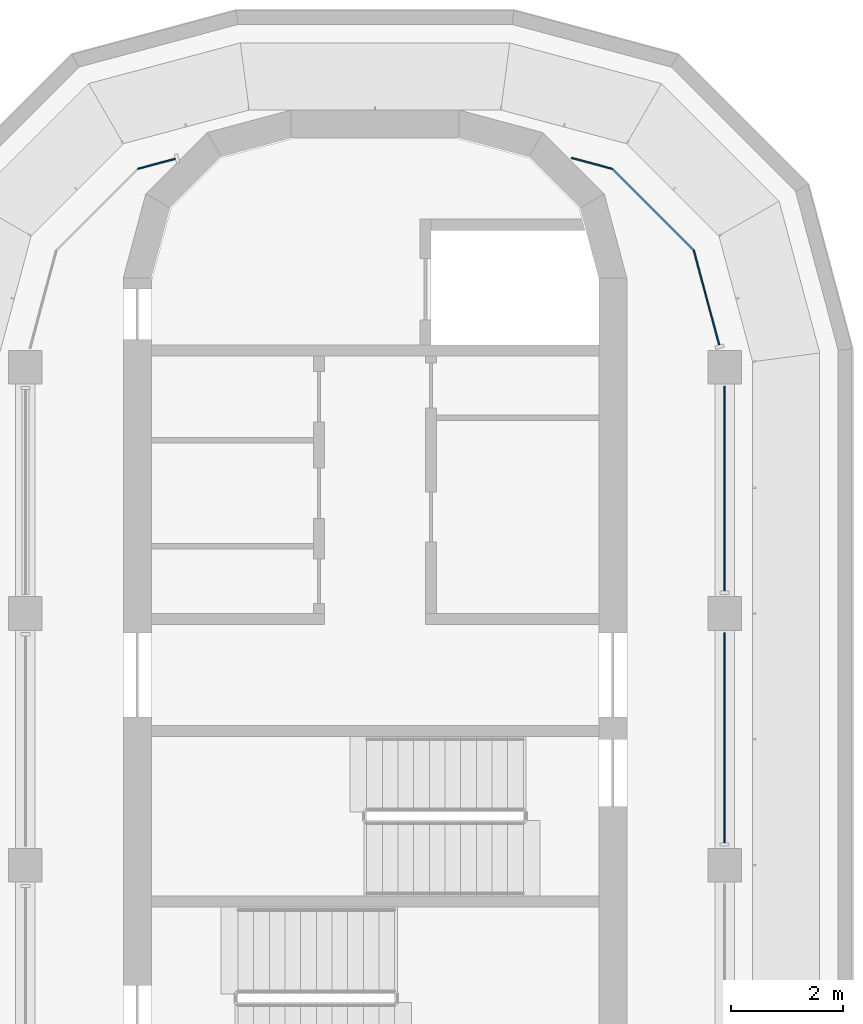
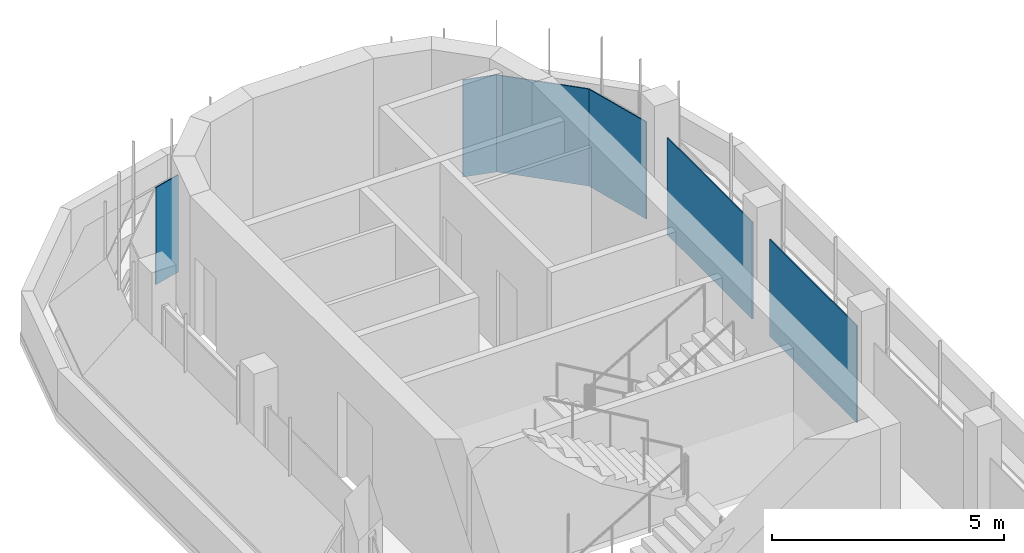
# One storey, part 7 of 12: 6 plates, 5 elements without a shape of their own.
"""IFC4 building model written with IfcOpenShell, lengths in metres."""

from ifc_helpers import new_model, si_unit, direction, frame, origin, place, context, subcontext, project, spatial, polyline, outline, extrude, source, transform, mapped, material, layer, layer_set, type_object, element, aggregate, save


model = new_model("IFC4")

# Units and contexts
model_context = context("Model", 3, precision=1e-05, world=origin(), true_north=direction((0.0, 1.0)))
body_context = subcontext(model_context, "Body", "Model", "MODEL_VIEW")
ifc_project = project(units=[si_unit("LENGTHUNIT", "METRE"), si_unit("AREAUNIT", "SQUARE_METRE"), si_unit("VOLUMEUNIT", "CUBIC_METRE"), si_unit("PLANEANGLEUNIT", "RADIAN"), si_unit("MASSUNIT", "GRAM", prefix="KILO")], contexts=[model_context])

# Site, building, storey
site_placement = place(None, origin())
site = spatial("IfcSite", under=ifc_project, at=site_placement, CompositionType="ELEMENT")
building_placement = place(site_placement, origin())
building = spatial("IfcBuilding", under=site, at=building_placement, Name="Zarbagh Exchange Tower", CompositionType="ELEMENT")
storey_placement = place(building_placement, frame((0.0, 0.0, 306.0)))
storey = spatial("IfcBuildingStorey", under=building, at=storey_placement, Name="L75", CompositionType="ELEMENT", Elevation=306.0)

# Curtain wall, plate
ifc_material_1 = material(Name="Anodised aluminium frame and glazing", Category="aluminium")
curtain_wall_type = type_object("IfcCurtainWallType", Name="CWF Crown tier glazing", PredefinedType="NOTDEFINED", material=ifc_material_1)
curtain_wall_1_placement = place(storey_placement, origin())
curtain_wall_1 = element("IfcCurtainWall", 1, at=curtain_wall_1_placement, inside=storey, type_object=curtain_wall_type, Name="CWF24 curtain wall", PredefinedType="NOTDEFINED")
ifc_material_2 = material(Name="Low-e double glazed unit, 6+12+6 mm")
ifc_layer = layer(ifc_material_2, 0.028076171875)
ifc_layer_set = layer_set([ifc_layer], Name="PAF Glazing panel, Low-e double glazed unit, 6+12+6 mm")
plate_type = type_object("IfcPlateType", Name="PAF Glazing panel, Low-e double glazed unit, 6+12+6 mm", PredefinedType="CURTAIN_PANEL", material=ifc_layer_set)
shared_shape_1 = source(origin(), body_context, "Body", "SweptSolid", [
    extrude(outline(polyline([(0.0, -0.013916015625), (0.697021484375, -0.013916015625), (0.697021484375, 0.013916015625), (0.0, 0.013916015625), (0.0, -0.013916015625)])), origin(), (0.0, 0.0, 1.0), 2.550048828125),
])
placement = place(storey_placement, origin())
plate_1 = element("IfcPlate", 2, at=placement, type_object=plate_type, Name="CWF24 glazing panel 1.1", PredefinedType="CURTAIN_PANEL", context=body_context, shape_type="MappedRepresentation", body=[
    mapped(shared_shape_1, transform((-3.56787109375, 28.379150390625, 0.0), x_axis=(-0.965924289636, -0.258824779902, 0.0), y_axis=(0.258824779902, -0.965924289636, 0.0), z_axis=(0.0, 0.0, 1.0))),
])
aggregate(curtain_wall_1, [plate_1])

curtain_wall_2_placement = place(storey_placement, origin())
curtain_wall_2 = element("IfcCurtainWall", 3, at=curtain_wall_2_placement, inside=storey, type_object=curtain_wall_type, Name="CWF22 curtain wall", PredefinedType="NOTDEFINED")
shared_shape_2 = source(origin(), body_context, "Body", "SweptSolid", [
    extrude(outline(polyline([(0.0, -0.013916015625), (2.061279296875, -0.013916015625), (2.061279296875, 0.013916015625), (0.0, 0.013916015625), (0.0, -0.013916015625)])), origin(), (0.0, 0.0, 1.0), 2.550048828125),
])
plate_2 = element("IfcPlate", 4, at=placement, type_object=plate_type, Name="CWF22 glazing panel 1.1", PredefinedType="CURTAIN_PANEL", context=body_context, shape_type="MappedRepresentation", body=[
    mapped(shared_shape_2, transform((5.69873046875, 26.7412109375, 0.0), x_axis=(-0.707106781187, 0.707106781187, 0.0), y_axis=(-0.707106781187, -0.707106781187, 0.0), z_axis=(0.0, 0.0, 1.0))),
])
aggregate(curtain_wall_2, [plate_2])

# Curtain wall, plates
curtain_wall_3_placement = place(storey_placement, origin())
curtain_wall_3 = element("IfcCurtainWall", 5, at=curtain_wall_3_placement, inside=storey, type_object=curtain_wall_type, Name="CWF49 curtain wall", PredefinedType="NOTDEFINED")
shared_shape_3 = source(origin(), body_context, "Body", "SweptSolid", [
    extrude(outline(polyline([(0.0, -0.013916015625), (3.760009765625, -0.013916015625), (3.760009765625, 0.013916015625), (0.0, 0.013916015625), (0.0, -0.013916015625)])), origin(), (0.0, 0.0, 1.0), 2.550048828125),
])
plate_3 = element("IfcPlate", 6, at=placement, type_object=plate_type, Name="CWF49 glazing panel 8.1", PredefinedType="CURTAIN_PANEL", context=body_context, shape_type="MappedRepresentation", body=[
    mapped(shared_shape_3, transform((6.25, 16.150146484375, 0.0), x_axis=(0.0, 1.0, 0.0), y_axis=(-1.0, 0.0, 0.0), z_axis=(0.0, 0.0, 1.0))),
])
shared_shape_4 = source(origin(), body_context, "Body", "SweptSolid", [
    extrude(outline(polyline([(0.0, -0.013916015625), (3.659912109375, -0.013916015625), (3.659912109375, 0.013916015625), (0.0, 0.013916015625), (0.0, -0.013916015625)])), origin(), (0.0, 0.0, 1.0), 2.550048828125),
])
plate_4 = element("IfcPlate", 7, at=placement, type_object=plate_type, Name="CWF49 glazing panel 9.1", PredefinedType="CURTAIN_PANEL", context=body_context, shape_type="MappedRepresentation", body=[
    mapped(shared_shape_4, transform((6.25, 20.650146484375, 0.0), x_axis=(0.0, 1.0, 0.0), y_axis=(-1.0, 0.0, 0.0), z_axis=(0.0, 0.0, 1.0))),
])
aggregate(curtain_wall_3, [plate_3, plate_4])

# Curtain wall, plate
curtain_wall_4_placement = place(storey_placement, origin())
curtain_wall_4 = element("IfcCurtainWall", 8, at=curtain_wall_4_placement, inside=storey, type_object=curtain_wall_type, Name="CWF21 curtain wall", PredefinedType="NOTDEFINED")
shared_shape_5 = source(origin(), body_context, "Body", "SweptSolid", [
    extrude(outline(polyline([(0.0, -0.013916015625), (1.7529296875, -0.013916015625), (1.7529296875, 0.013916015625), (0.0, 0.013916015625), (0.0, -0.013916015625)])), origin(), (0.0, 0.0, 1.0), 2.550048828125),
])
plate_5 = element("IfcPlate", 9, at=placement, type_object=plate_type, Name="CWF21 glazing panel 1.1", PredefinedType="CURTAIN_PANEL", context=body_context, shape_type="MappedRepresentation", body=[
    mapped(shared_shape_5, transform((6.152587890625, 25.0478515625, 0.0), x_axis=(-0.258824779902, 0.965924289636, 0.0), y_axis=(-0.965924289636, -0.258824779902, 0.0), z_axis=(0.0, 0.0, 1.0))),
])
aggregate(curtain_wall_4, [plate_5])

curtain_wall_5_placement = place(storey_placement, origin())
curtain_wall_5 = element("IfcCurtainWall", 10, at=curtain_wall_5_placement, inside=storey, type_object=curtain_wall_type, Name="CWF23 curtain wall", PredefinedType="NOTDEFINED")
shared_shape_6 = source(origin(), body_context, "Body", "SweptSolid", [
    extrude(outline(polyline([(0.0, -0.013916015625), (0.757080078125, -0.013916015625), (0.757080078125, 0.013916015625), (0.0, 0.013916015625), (0.0, -0.013916015625)])), origin(), (0.0, 0.0, 1.0), 2.550048828125),
])
plate_6 = element("IfcPlate", 11, at=placement, type_object=plate_type, Name="CWF23 glazing panel 1.1", PredefinedType="CURTAIN_PANEL", context=body_context, shape_type="MappedRepresentation", body=[
    mapped(shared_shape_6, transform((4.2412109375, 28.19873046875, 0.0), x_axis=(-0.965924289636, 0.258824779902, 0.0), y_axis=(-0.258824779902, -0.965924289636, 0.0), z_axis=(0.0, 0.0, 1.0))),
])
aggregate(curtain_wall_5, [plate_6])

save(model, "model.ifc")
